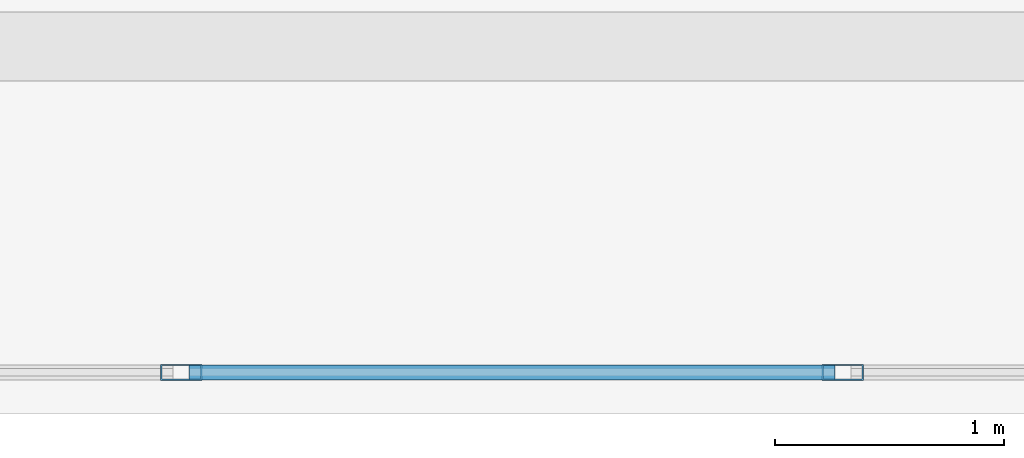
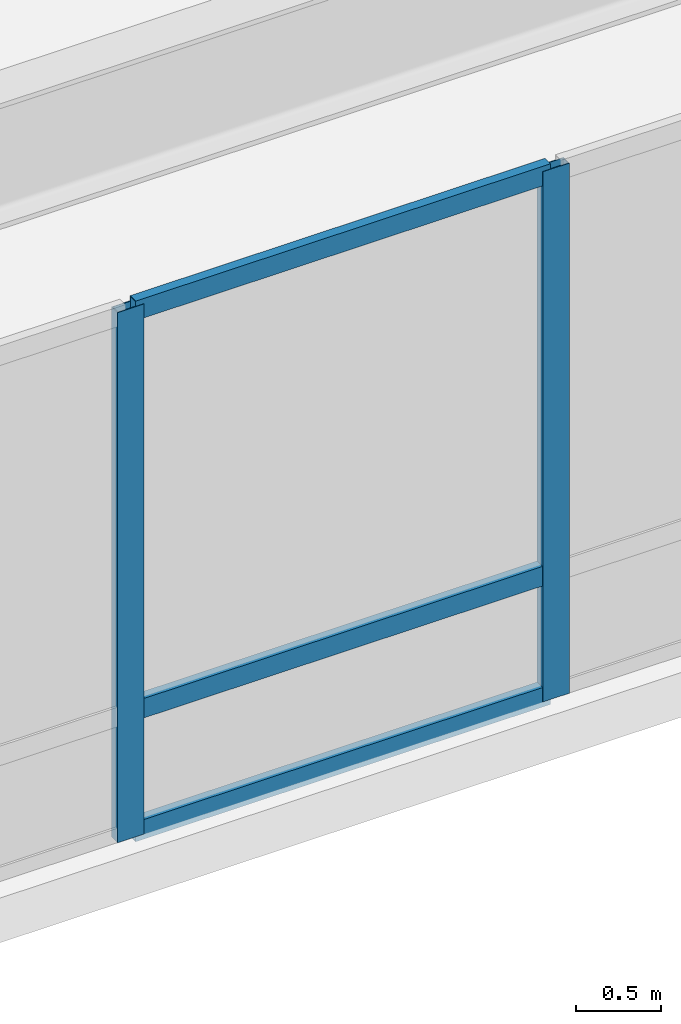
# One storey, part 6 of 17: 5 members, 1 element without a shape of its own.
"""IFC4 building model written with IfcOpenShell, lengths in metres."""

from ifc_helpers import new_model, si_unit, direction, frame, origin, origin_2d, place, context, subcontext, project, spatial, hollow_rectangle, extrude, material, layer, layer_set, material_profile, profile_set, type_object, element, aggregate, save


model = new_model("IFC4")

# Units and contexts
model_context = context("Model", 3, precision=1e-05, world=origin(), true_north=direction((0.0, 1.0)))
body_context = subcontext(model_context, "Body", "Model", "MODEL_VIEW")
ifc_project = project(units=[si_unit("LENGTHUNIT", "METRE"), si_unit("AREAUNIT", "SQUARE_METRE"), si_unit("VOLUMEUNIT", "CUBIC_METRE"), si_unit("PLANEANGLEUNIT", "RADIAN"), si_unit("MASSUNIT", "GRAM", prefix="KILO"), si_unit("THERMODYNAMICTEMPERATUREUNIT", "KELVIN"), si_unit("POWERUNIT", "WATT")], contexts=[model_context])

# Site, building, storey
site_placement = place(None, origin())
site = spatial("IfcSite", under=ifc_project, at=site_placement, CompositionType="ELEMENT")
building_placement = place(site_placement, origin())
building = spatial("IfcBuilding", under=site, at=building_placement, Name="Ocrelia Relay Tower", CompositionType="ELEMENT")
storey_placement = place(building_placement, frame((0.0, 0.0, 25.199951171875)))
storey = spatial("IfcBuildingStorey", under=building, at=storey_placement, Name="L05", CompositionType="ELEMENT", Elevation=25.199951171875)

# Curtain wall, members
ifc_material_1 = material(Name="Aluminium and solar-control low-E glass", Category="aluminium")
ifc_layer = layer(ifc_material_1, 0.179931640625, Name="Aluminium and solar-control low-E glass")
ifc_layer_set = layer_set([ifc_layer], Name="Aluminium and solar-control low-E glass")
curtain_wall_type = type_object("IfcCurtainWallType", Name="CW-SYS-POD-GALL", PredefinedType="NOTDEFINED", material=ifc_layer_set)
curtain_wall_placement = place(storey_placement, origin())
curtain_wall = element("IfcCurtainWall", 1, at=curtain_wall_placement, inside=storey, type_object=curtain_wall_type, Name="L05 South Over-Arch Curtain Wall East", PredefinedType="NOTDEFINED")
ifc_material_2 = material(Name="Anodised bronze aluminium", Category="aluminium")
ifc_material_profile_1 = material_profile(ifc_material_2, hollow_rectangle(XDim=0.070068359375, YDim=0.179931640625, WallThickness=0.006103515625, at=origin_2d()), Name="CW-MUL-180x70")
ifc_profile_set_1 = profile_set([ifc_material_profile_1], Name="Anodised bronze aluminium")
member_type_1 = type_object("IfcMemberType", Name="CW-SYS-POD-GALL-MUL", PredefinedType="MULLION", material=ifc_profile_set_1)
member_1_placement = place(storey_placement, frame((36.88330078125, 0.179931640625, 0.0), z_axis=(0.0, 0.0, 1.0), x_axis=(0.0, 1.0, 0.0)))
member_1 = element("IfcMember", 2, at=member_1_placement, type_object=member_type_1, Name="CW-PG mullion 2", PredefinedType="MULLION", context=body_context, shape_type="SweptSolid", body=[
    extrude(hollow_rectangle(XDim=0.070068359375, YDim=0.179931640625, WallThickness=0.006103515625, at=origin_2d()), origin(), (0.0, 0.0, 1.0), 3.800048828125),
])
member_2_placement = place(storey_placement, frame((39.7666015625, 0.179931640625, 0.0), z_axis=(0.0, 0.0, 1.0), x_axis=(0.0, 1.0, 0.0)))
member_2 = element("IfcMember", 3, at=member_2_placement, type_object=member_type_1, Name="CW-PG mullion 3", PredefinedType="MULLION", context=body_context, shape_type="SweptSolid", body=[
    extrude(hollow_rectangle(XDim=0.070068359375, YDim=0.179931640625, WallThickness=0.006103515625, at=origin_2d()), origin(), (0.0, 0.0, 1.0), 3.800048828125),
])
ifc_material_profile_2 = material_profile(ifc_material_2, hollow_rectangle(XDim=0.06494140625, YDim=0.139892578125, WallThickness=0.0048828125, at=origin_2d()), Name="CW-TRN-140x65")
ifc_profile_set_2 = profile_set([ifc_material_profile_2], Name="Anodised bronze aluminium")
member_type_2 = type_object("IfcMemberType", Name="CW-SYS-POD-GALL-TRN", PredefinedType="USERDEFINED", material=ifc_profile_set_2)
member_3_placement = place(storey_placement, frame((36.918212890625, 0.179931640625, 0.032470703125), z_axis=(1.0, 0.0, 0.0), x_axis=(0.0, 1.0, 0.0)))
member_3 = element("IfcMember", 4, at=member_3_placement, type_object=member_type_2, Name="CW-PG transom 2.1", ObjectType="TRANSOM", PredefinedType="USERDEFINED", context=body_context, shape_type="SweptSolid", body=[
    extrude(hollow_rectangle(XDim=0.06494140625, YDim=0.139892578125, WallThickness=0.0048828125, at=origin_2d()), origin(), (0.0, 0.0, 1.0), 2.8134765625),
])
member_4_placement = place(storey_placement, frame((36.918212890625, 0.179931640625, 0.900146484375), z_axis=(1.0, 0.0, 0.0), x_axis=(0.0, 1.0, 0.0)))
member_4 = element("IfcMember", 5, at=member_4_placement, type_object=member_type_2, Name="CW-PG transom 2.2", ObjectType="TRANSOM", PredefinedType="USERDEFINED", context=body_context, shape_type="SweptSolid", body=[
    extrude(hollow_rectangle(XDim=0.06494140625, YDim=0.139892578125, WallThickness=0.0048828125, at=origin_2d()), origin(), (0.0, 0.0, 1.0), 2.8134765625),
])
member_5_placement = place(storey_placement, frame((36.918212890625, 0.179931640625, 3.767578125), z_axis=(1.0, 0.0, 0.0), x_axis=(0.0, 1.0, 0.0)))
member_5 = element("IfcMember", 6, at=member_5_placement, type_object=member_type_2, Name="CW-PG transom 2.3", ObjectType="TRANSOM", PredefinedType="USERDEFINED", context=body_context, shape_type="SweptSolid", body=[
    extrude(hollow_rectangle(XDim=0.06494140625, YDim=0.139892578125, WallThickness=0.0048828125, at=origin_2d()), origin(), (0.0, 0.0, 1.0), 2.8134765625),
])
aggregate(curtain_wall, [member_1, member_2, member_3, member_4, member_5])

save(model, "model.ifc")
